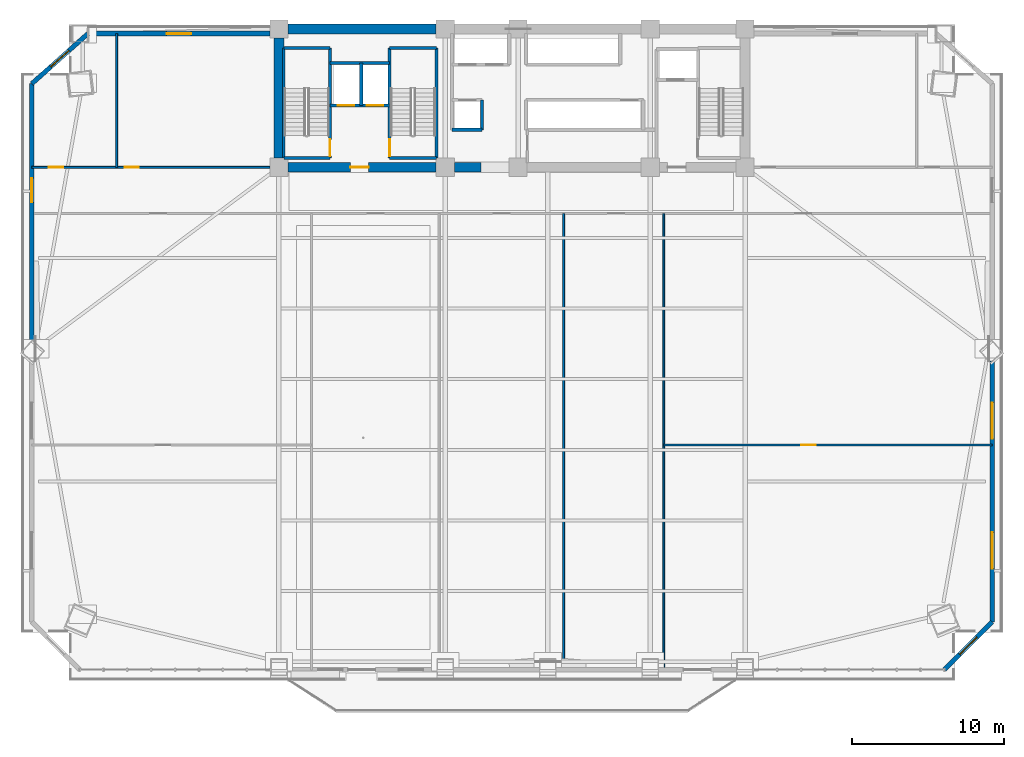
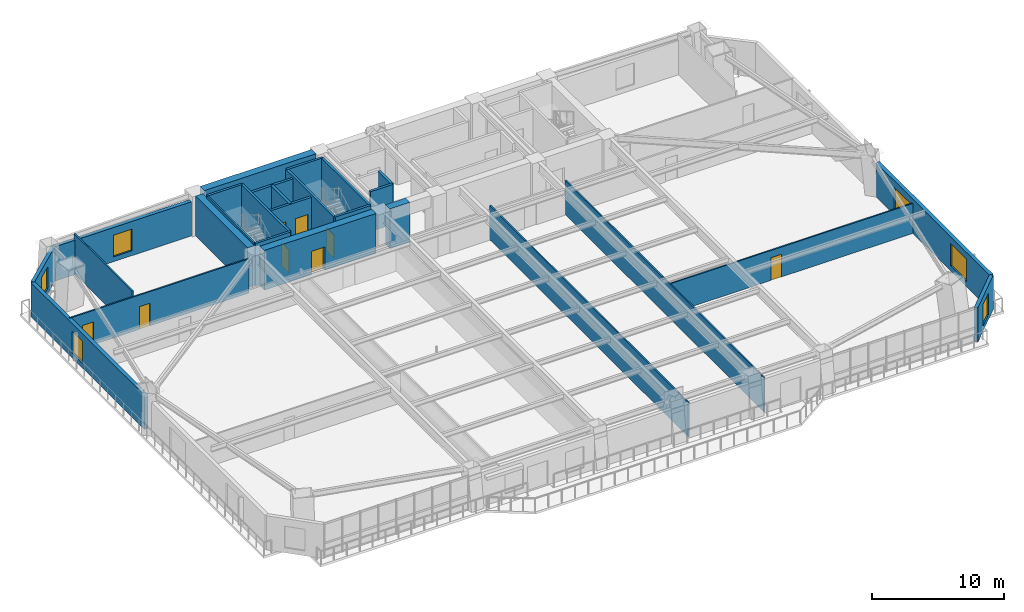
# One storey, part 9 of 17: 27 walls, 8 doors, 6 windows, 14 openings.
"""IFC4 building model written with IfcOpenShell, lengths in metres."""

from ifc_helpers import new_model, si_unit, direction, frame, frame_2d, origin, place, context, subcontext, project, spatial, rectangle, extrude, source, transform, mapped, material, layer, layer_set, type_object, element, fill, save


model = new_model("IFC4")

# Units and contexts
model_context = context("Model", 3, precision=1e-05, world=origin(), true_north=direction((0.0, 1.0)))
body_context = subcontext(model_context, "Body", "Model", "MODEL_VIEW")
ifc_project = project(units=[si_unit("LENGTHUNIT", "METRE"), si_unit("AREAUNIT", "SQUARE_METRE"), si_unit("VOLUMEUNIT", "CUBIC_METRE"), si_unit("PLANEANGLEUNIT", "RADIAN"), si_unit("MASSUNIT", "GRAM", prefix="KILO")], contexts=[model_context])

# Site, building, storey
site_placement = place(None, origin())
site = spatial("IfcSite", under=ifc_project, at=site_placement, CompositionType="ELEMENT")
building_placement = place(site_placement, origin())
building = spatial("IfcBuilding", under=site, at=building_placement, Name="Giltprow Tower", CompositionType="ELEMENT")
storey_placement = place(building_placement, frame((0.0, 0.0, 57.199951171875)))
storey = spatial("IfcBuildingStorey", under=building, at=storey_placement, Name="L14", CompositionType="ELEMENT", Elevation=57.199951171875)

# Wall, opening, window
ifc_material_1 = material(Name="Precast concrete C40", Category="concrete")
ifc_layer_1 = layer(ifc_material_1, 0.300048828125, Name="Precast concrete C40")
ifc_layer_set_1 = layer_set([ifc_layer_1], Name="Precast concrete C40")
wall_type_1 = type_object("IfcWallType", Name="EW-NOTCH-CHAMFER-300", PredefinedType="SOLIDWALL", material=ifc_layer_set_1)
wall_1_placement = place(storey_placement, frame((63.681884765625, 4.35400390625, 0.0), z_axis=(0.0, 0.0, 1.0), x_axis=(0.707134199585, 0.707079361725, 0.0)))
wall_1 = element("IfcWall", 1, at=wall_1_placement, inside=storey, type_object=wall_type_1, Name="L14 Corner Notch Wall SE", PredefinedType="SOLIDWALL", context=body_context, shape_type="SweptSolid", body=[
    extrude(rectangle(XDim=4.4521484375, YDim=0.300048828125, at=frame_2d((2.22607421875, 0.0))), origin(), (0.0, 0.0, 1.0), 3.16015625),
])
opening_1_placement = place(wall_1_placement, frame((1.426025390625, 0.0, 0.449951171875)))
opening_1 = element("IfcOpeningElement", 2, at=opening_1_placement, cuts=wall_1, Name="Opening WN17", PredefinedType="OPENING", context=body_context, shape_type="SweptSolid", body=[
    extrude(rectangle(XDim=1.60009765625, YDim=2.0, at=frame_2d((0.800048828125, 1.0))), frame((0.0, 0.159912109375, 0.0), z_axis=(0.0, -1.0, 0.0), x_axis=(1.0, 0.0, 0.0)), (0.0, 0.0, 1.0), 0.320068359375),
])
ifc_material_2 = material(Name="Insulated glass", Category="glass")
window_type_1 = type_object("IfcWindowType", Name="WN-COR-1600x2000", PartitioningType="SINGLE_PANEL", PredefinedType="WINDOW", material=ifc_material_2)
shared_shape_1 = source(origin(), body_context, "Body", "SweptSolid", [
    extrude(rectangle(XDim=1.60009765625, YDim=2.0, at=frame_2d((0.800048828125, 1.0))), frame((0.0, 0.030029296875, 0.0), z_axis=(0.0, -1.0, 0.0), x_axis=(1.0, 0.0, 0.0)), (0.0, 0.0, 1.0), 0.06005859375),
])
window_1_placement = place(opening_1_placement, origin())
window_1 = element("IfcWindow", 3, at=window_1_placement, inside=storey, type_object=window_type_1, Name="L14 Corner Notch Window SE", OverallHeight=2.0, OverallWidth=1.60009765625, PartitioningType="SINGLE_PANEL", PredefinedType="WINDOW", context=body_context, shape_type="MappedRepresentation", body=[
    mapped(shared_shape_1, transform((0.0, 0.0, 0.0), x_axis=(1.0, 0.0, 0.0), y_axis=(0.0, 1.0, 0.0), z_axis=(0.0, 0.0, 1.0), scale=1.0)),
])
fill(opening_1, window_1)

wall_2_placement = place(storey_placement, frame((7.26806640625, 46.25, 0.0), z_axis=(0.0, 0.0, 1.0), x_axis=(-0.746307341165, -0.665601496785, 0.0)))
wall_2 = element("IfcWall", 4, at=wall_2_placement, inside=storey, type_object=wall_type_1, Name="L14 Corner Notch Wall NW", PredefinedType="SOLIDWALL", context=body_context, shape_type="SweptSolid", body=[
    extrude(rectangle(XDim=4.955078125, YDim=0.300048828125, at=frame_2d((2.4775390625, 0.0))), origin(), (0.0, 0.0, 1.0), 3.16015625),
])
opening_2_placement = place(wall_2_placement, frame((1.677001953125, 0.0, 0.449951171875)))
opening_2 = element("IfcOpeningElement", 5, at=opening_2_placement, cuts=wall_2, Name="Opening WN17", PredefinedType="OPENING", context=body_context, shape_type="SweptSolid", body=[
    extrude(rectangle(XDim=1.60009765625, YDim=2.0, at=frame_2d((0.800048828125, 1.0))), frame((0.0, 0.159912109375, 0.0), z_axis=(0.0, -1.0, 0.0), x_axis=(1.0, 0.0, 0.0)), (0.0, 0.0, 1.0), 0.320068359375),
])
window_2_placement = place(opening_2_placement, origin())
window_2 = element("IfcWindow", 6, at=window_2_placement, inside=storey, type_object=window_type_1, Name="L14 Corner Notch Window NW", OverallHeight=2.0, OverallWidth=1.60009765625, PartitioningType="SINGLE_PANEL", PredefinedType="WINDOW", context=body_context, shape_type="MappedRepresentation", body=[
    mapped(shared_shape_1, transform((0.0, 0.0, 0.0), x_axis=(1.0, 0.0, 0.0), y_axis=(0.0, 1.0, 0.0), z_axis=(0.0, 0.0, 1.0), scale=1.0)),
])
fill(opening_2, window_2)

ifc_layer_2 = layer(ifc_material_1, 0.320068359375, Name="Precast concrete C40")
ifc_layer_set_2 = layer_set([ifc_layer_2], Name="Precast concrete C40")
wall_type_2 = type_object("IfcWallType", Name="EW-TOW-STONE-320", PredefinedType="SOLIDWALL", material=ifc_layer_set_2)
wall_3_placement = place(storey_placement, frame((3.570068359375, 25.777099609375, 0.0), z_axis=(0.0, 0.0, 1.0), x_axis=(0.0, 1.0, 0.0)))
wall_3 = element("IfcWall", 7, at=wall_3_placement, inside=storey, type_object=wall_type_2, Name="L14 W Wing Masonry Wall 2", PredefinedType="SOLIDWALL", context=body_context, shape_type="SweptSolid", body=[
    extrude(rectangle(XDim=17.1748046875, YDim=0.320068359375, at=frame_2d((8.58740234375, 0.0))), origin(), (0.0, 0.0, 1.0), 3.16015625),
])
opening_3_placement = place(wall_3_placement, frame((9.35302734375, 0.0, 0.449951171875)))
opening_3 = element("IfcOpeningElement", 8, at=opening_3_placement, cuts=wall_3, Name="Opening WN17", PredefinedType="OPENING", context=body_context, shape_type="SweptSolid", body=[
    extrude(rectangle(XDim=1.60009765625, YDim=2.0, at=frame_2d((0.800048828125, 1.0))), frame((0.0, 0.169921875, 0.0), z_axis=(0.0, -1.0, 0.0), x_axis=(1.0, 0.0, 0.0)), (0.0, 0.0, 1.0), 0.340087890625),
])
window_3_placement = place(opening_3_placement, origin())
window_3 = element("IfcWindow", 9, at=window_3_placement, inside=storey, type_object=window_type_1, Name="L14 W Wing Window 2-1", OverallHeight=2.0, OverallWidth=1.60009765625, PartitioningType="SINGLE_PANEL", PredefinedType="WINDOW", context=body_context, shape_type="MappedRepresentation", body=[
    mapped(shared_shape_1, transform((0.0, 0.0, 0.0), x_axis=(1.0, 0.0, 0.0), y_axis=(0.0, 1.0, 0.0), z_axis=(0.0, 0.0, 1.0), scale=1.0)),
])
fill(opening_3, window_3)

# Wall, openings, windows
wall_4_placement = place(storey_placement, frame((66.830078125, 7.501953125, 0.0), z_axis=(0.0, 0.0, 1.0), x_axis=(0.0, 1.0, 0.0)))
wall_4 = element("IfcWall", 10, at=wall_4_placement, inside=storey, type_object=wall_type_2, Name="L14 E Wing Masonry Wall 1", PredefinedType="SOLIDWALL", context=body_context, shape_type="SweptSolid", body=[
    extrude(rectangle(XDim=17.175048828125, YDim=0.320068359375, at=frame_2d((8.58740234375, 0.0))), origin(), (0.0, 0.0, 1.0), 3.16015625),
])
opening_4_placement = place(wall_4_placement, frame((3.506103515625, 0.0, 0.449951171875)))
opening_4 = element("IfcOpeningElement", 11, at=opening_4_placement, cuts=wall_4, Name="Opening WN29", PredefinedType="OPENING", context=body_context, shape_type="SweptSolid", body=[
    extrude(rectangle(XDim=2.39990234375, YDim=2.10009765625, at=frame_2d((1.199951171875, 1.050048828125))), frame((0.0, 0.169921875, 0.0), z_axis=(0.0, -1.0, 0.0), x_axis=(1.0, 0.0, 0.0)), (0.0, 0.0, 1.0), 0.340087890625),
])
opening_5_placement = place(wall_4_placement, frame((12.052978515625, 0.0, 0.449951171875)))
opening_5 = element("IfcOpeningElement", 12, at=opening_5_placement, cuts=wall_4, Name="Opening WN29", PredefinedType="OPENING", context=body_context, shape_type="SweptSolid", body=[
    extrude(rectangle(XDim=2.39990234375, YDim=2.10009765625, at=frame_2d((1.199951171875, 1.050048828125))), frame((0.0, 0.169921875, 0.0), z_axis=(0.0, -1.0, 0.0), x_axis=(1.0, 0.0, 0.0)), (0.0, 0.0, 1.0), 0.340087890625),
])
window_type_2 = type_object("IfcWindowType", Name="WN-OFF-2400x2100", PartitioningType="DOUBLE_PANEL_VERTICAL", PredefinedType="WINDOW", material=ifc_material_2)
shared_shape_2 = source(origin(), body_context, "Body", "SweptSolid", [
    extrude(rectangle(XDim=2.39990234375, YDim=2.10009765625, at=frame_2d((1.199951171875, 1.050048828125))), frame((0.0, 0.030029296875, 0.0), z_axis=(0.0, -1.0, 0.0), x_axis=(1.0, 0.0, 0.0)), (0.0, 0.0, 1.0), 0.06005859375),
])
window_4_placement = place(opening_4_placement, origin())
window_4 = element("IfcWindow", 13, at=window_4_placement, inside=storey, type_object=window_type_2, Name="L14 E Wing Window 1-1A", OverallHeight=2.10009765625, OverallWidth=2.39990234375, PartitioningType="SINGLE_PANEL", PredefinedType="WINDOW", context=body_context, shape_type="MappedRepresentation", body=[
    mapped(shared_shape_2, transform((0.0, 0.0, 0.0), x_axis=(1.0, 0.0, 0.0), y_axis=(0.0, 1.0, 0.0), z_axis=(0.0, 0.0, 1.0), scale=1.0)),
])
fill(opening_4, window_4)
window_5_placement = place(opening_5_placement, origin())
window_5 = element("IfcWindow", 14, at=window_5_placement, inside=storey, type_object=window_type_2, Name="L14 E Wing Window 1-1B", OverallHeight=2.10009765625, OverallWidth=2.39990234375, PartitioningType="SINGLE_PANEL", PredefinedType="WINDOW", context=body_context, shape_type="MappedRepresentation", body=[
    mapped(shared_shape_2, transform((0.0, 0.0, 0.0), x_axis=(1.0, 0.0, 0.0), y_axis=(0.0, 1.0, 0.0), z_axis=(0.0, 0.0, 1.0), scale=1.0)),
])
fill(opening_5, window_5)

# Wall, opening, window
wall_5_placement = place(storey_placement, frame((7.26806640625, 46.25, 0.0), z_axis=(0.0, 0.0, 1.0), x_axis=(1.0, 0.0, 0.0)))
wall_5 = element("IfcWall", 15, at=wall_5_placement, inside=storey, type_object=wall_type_2, Name="L14 North-West Wing Wall", PredefinedType="SOLIDWALL", context=body_context, shape_type="SweptSolid", body=[
    extrude(rectangle(XDim=11.98193359375, YDim=0.320068359375, at=frame_2d((5.990966796875, 0.0))), origin(), (0.0, 0.0, 1.0), 3.16015625),
])
opening_6_placement = place(wall_5_placement, frame((5.19091796875, 0.0, 0.449951171875)))
opening_6 = element("IfcOpeningElement", 16, at=opening_6_placement, cuts=wall_5, Name="Opening WN17", PredefinedType="OPENING", context=body_context, shape_type="SweptSolid", body=[
    extrude(rectangle(XDim=1.60009765625, YDim=2.0, at=frame_2d((0.800048828125, 1.0))), frame((0.0, 0.169921875, 0.0), z_axis=(0.0, -1.0, 0.0), x_axis=(1.0, 0.0, 0.0)), (0.0, 0.0, 1.0), 0.340087890625),
])
window_6_placement = place(opening_6_placement, origin())
window_6 = element("IfcWindow", 17, at=window_6_placement, inside=storey, type_object=window_type_1, Name="L14 North-West Window", OverallHeight=2.0, OverallWidth=1.60009765625, PartitioningType="SINGLE_PANEL", PredefinedType="WINDOW", context=body_context, shape_type="MappedRepresentation", body=[
    mapped(shared_shape_1, transform((0.0, 0.0, 0.0), x_axis=(1.0, 0.0, 0.0), y_axis=(0.0, 1.0, 0.0), z_axis=(0.0, 0.0, 1.0), scale=1.0)),
])
fill(opening_6, window_6)

# Walls
ifc_material_3 = material(Name="Gypsum stud partition", Category="gypsum")
ifc_layer_3 = layer(ifc_material_3, 0.1201171875, Name="Gypsum stud partition")
ifc_layer_set_3 = layer_set([ifc_layer_3], Name="Gypsum stud partition")
wall_type_3 = type_object("IfcWallType", Name="IW-ROOM-120", PredefinedType="PARTITIONING", material=ifc_layer_set_3)
for number, where, z_axis, x_axis, name in (
    (18, (38.60009765625, 4.35400390625, 0.0), (0.0, 0.0, 1.0), (0.0, 1.0, 0.0), "L14 Office Partition 3"),
    (19, (45.199951171875, 4.35400390625, 0.0), (0.0, 0.0, 1.0), (0.0, 1.0, 0.0), "L14 Office Partition 4"),
):
    element("IfcWall", number, at=place(storey_placement, frame(where, z_axis=z_axis, x_axis=x_axis)), inside=storey, type_object=wall_type_3, Name=name, PredefinedType="PARTITIONING", context=body_context, shape_type="SweptSolid", body=[
        extrude(rectangle(XDim=30.0458984375, YDim=0.1201171875, at=frame_2d((15.02294921875, 0.0))), origin(), (0.0, 0.0, 1.0), 3.1650390625),
    ])

# Wall, opening, door
wall_6_placement = place(storey_placement, frame((45.199951171875, 19.155029296875, 0.0), z_axis=(0.0, 0.0, 1.0), x_axis=(1.0, 0.0, 0.0)))
wall_6 = element("IfcWall", 20, at=wall_6_placement, inside=storey, type_object=wall_type_3, Name="L14 Office Mid Wall 5", PredefinedType="PARTITIONING", context=body_context, shape_type="SweptSolid", body=[
    extrude(rectangle(XDim=21.630126953125, YDim=0.1201171875, at=frame_2d((10.81494140625, 0.0))), origin(), (0.0, 0.0, 1.0), 2.76513671875),
])
opening_7_placement = place(wall_6_placement, frame((9.06494140625, 0.0, 0.0)))
opening_7 = element("IfcOpeningElement", 21, at=opening_7_placement, cuts=wall_6, Name="Opening ID11", PredefinedType="OPENING", context=body_context, shape_type="SweptSolid", body=[
    extrude(rectangle(XDim=0.949951171875, YDim=2.10009765625, at=frame_2d((0.47509765625, 1.050048828125))), frame((0.0, 0.070068359375, 0.0), z_axis=(0.0, -1.0, 0.0), x_axis=(1.0, 0.0, 0.0)), (0.0, 0.0, 1.0), 0.14013671875),
])
ifc_material_4 = material(Name="Engineered timber", Category="wood")
door_type_1 = type_object("IfcDoorType", Name="DR-ROOM-950", OperationType="SINGLE_SWING_RIGHT", PredefinedType="DOOR", material=ifc_material_4)
shared_shape_3 = source(origin(), body_context, "Body", "SweptSolid", [
    extrude(rectangle(XDim=0.949951171875, YDim=2.10009765625, at=frame_2d((0.47509765625, 1.050048828125))), frame((0.0, 0.02490234375, 0.0), z_axis=(0.0, -1.0, 0.0), x_axis=(1.0, 0.0, 0.0)), (0.0, 0.0, 1.0), 0.050048828125),
])
door_1_placement = place(opening_7_placement, origin())
door_1 = element("IfcDoor", 22, at=door_1_placement, inside=storey, type_object=door_type_1, Name="L14 Artisan Studio Shop 5 Inner Door", OperationType="SINGLE_SWING_RIGHT", OverallHeight=2.10009765625, OverallWidth=0.949951171875, PredefinedType="DOOR", context=body_context, shape_type="MappedRepresentation", body=[
    mapped(shared_shape_3, transform((0.0, 0.0, 0.0), x_axis=(1.0, 0.0, 0.0), y_axis=(0.0, 1.0, 0.0), z_axis=(0.0, 0.0, 1.0), scale=1.0)),
])
fill(opening_7, door_1)

# Wall, openings, doors
ifc_material_5 = material(Name="Concrete C40", Category="concrete")
ifc_layer_4 = layer(ifc_material_5, 0.219970703125, Name="Concrete C40")
ifc_layer_set_4 = layer_set([ifc_layer_4], Name="Concrete C40")
wall_type_4 = type_object("IfcWallType", Name="IW-SHAFT-220", PredefinedType="SOLIDWALL", material=ifc_layer_set_4)
wall_7_placement = place(storey_placement, frame((23.219970703125, 41.52001953125, 0.0), z_axis=(0.0, 0.0, 1.0), x_axis=(1.0, 0.0, 0.0)))
wall_7 = element("IfcWall", 23, at=wall_7_placement, inside=storey, type_object=wall_type_4, Name="L14 FFL1 and Service Lift Front Wall", PredefinedType="SOLIDWALL", context=body_context, shape_type="SweptSolid", body=[
    extrude(rectangle(XDim=3.919921875, YDim=0.219970703125, at=frame_2d((1.9599609375, 0.0))), origin(), (0.0, 0.0, 1.0), 3.679931640625),
])
opening_8_placement = place(wall_7_placement, frame((0.5, 0.0, 0.0)))
opening_8 = element("IfcOpeningElement", 24, at=opening_8_placement, cuts=wall_7, Name="Opening LD-11", PredefinedType="OPENING", context=body_context, shape_type="SweptSolid", body=[
    extrude(rectangle(XDim=1.10009765625, YDim=2.199951171875, at=frame_2d((0.550048828125, 1.10009765625))), frame((0.0, 0.119873046875, 0.0), z_axis=(0.0, -1.0, 0.0), x_axis=(1.0, 0.0, 0.0)), (0.0, 0.0, 1.0), 0.239990234375),
])
opening_9_placement = place(wall_7_placement, frame((2.39990234375, 0.0, 0.0)))
opening_9 = element("IfcOpeningElement", 25, at=opening_9_placement, cuts=wall_7, Name="Opening LD-11", PredefinedType="OPENING", context=body_context, shape_type="SweptSolid", body=[
    extrude(rectangle(XDim=1.10009765625, YDim=2.199951171875, at=frame_2d((0.550048828125, 1.10009765625))), frame((0.0, 0.119873046875, 0.0), z_axis=(0.0, -1.0, 0.0), x_axis=(1.0, 0.0, 0.0)), (0.0, 0.0, 1.0), 0.239990234375),
])
ifc_material_6 = material(Name="Stainless steel", Category="steel")
door_type_2 = type_object("IfcDoorType", Name="DR-LIFT-LD1100", OperationType="SLIDING_TO_LEFT", PredefinedType="DOOR", material=ifc_material_6)
shared_shape_4 = source(origin(), body_context, "Body", "SweptSolid", [
    extrude(rectangle(XDim=1.10009765625, YDim=2.199951171875, at=frame_2d((0.550048828125, 1.10009765625))), frame((0.0, 0.02490234375, 0.0), z_axis=(0.0, -1.0, 0.0), x_axis=(1.0, 0.0, 0.0)), (0.0, 0.0, 1.0), 0.050048828125),
])
door_2_placement = place(opening_8_placement, origin())
door_2 = element("IfcDoor", 26, at=door_2_placement, inside=storey, type_object=door_type_2, Name="L14 FFL1 Landing Door", OperationType="SLIDING_TO_LEFT", OverallHeight=2.199951171875, OverallWidth=1.10009765625, PredefinedType="DOOR", context=body_context, shape_type="MappedRepresentation", body=[
    mapped(shared_shape_4, transform((0.0, 0.0, 0.0), x_axis=(1.0, 0.0, 0.0), y_axis=(0.0, 1.0, 0.0), z_axis=(0.0, 0.0, 1.0), scale=1.0)),
])
fill(opening_8, door_2)
door_3_placement = place(opening_9_placement, origin())
door_3 = element("IfcDoor", 27, at=door_3_placement, inside=storey, type_object=door_type_2, Name="L14 SVL1 Landing Door", OperationType="SLIDING_TO_LEFT", OverallHeight=2.199951171875, OverallWidth=1.10009765625, PredefinedType="DOOR", context=body_context, shape_type="MappedRepresentation", body=[
    mapped(shared_shape_4, transform((0.0, 0.0, 0.0), x_axis=(1.0, 0.0, 0.0), y_axis=(0.0, 1.0, 0.0), z_axis=(0.0, 0.0, 1.0), scale=1.0)),
])
fill(opening_9, door_3)

# Walls
wall_8_placement = place(storey_placement, frame((25.260009765625, 41.52001953125, 0.0), z_axis=(0.0, 0.0, 1.0), x_axis=(0.0, 1.0, 0.0)))
element("IfcWall", 28, at=wall_8_placement, inside=storey, type_object=wall_type_4, Name="L14 FFL1-SVL1 Shaft Divider", PredefinedType="SOLIDWALL", context=body_context, shape_type="SweptSolid", body=[
    extrude(rectangle(XDim=2.800048828125, YDim=0.219970703125, at=frame_2d((1.39990234375, 0.0))), origin(), (0.0, 0.0, 1.0), 3.679931640625),
])
wall_9_placement = place(storey_placement, frame((23.219970703125, 44.320068359375, 0.0), z_axis=(0.0, 0.0, 1.0), x_axis=(1.0, 0.0, 0.0)))
element("IfcWall", 29, at=wall_9_placement, inside=storey, type_object=wall_type_4, Name="L14 FFL1-SVL1 Back Shaft Wall", PredefinedType="SOLIDWALL", context=body_context, shape_type="SweptSolid", body=[
    extrude(rectangle(XDim=3.919921875, YDim=0.219970703125, at=frame_2d((1.9599609375, 0.0))), origin(), (0.0, 0.0, 1.0), 3.679931640625),
])
wall_10_placement = place(storey_placement, frame((31.25, 39.919921875, 0.0), z_axis=(0.0, 0.0, 1.0), x_axis=(1.0, 0.0, 0.0)))
element("IfcWall", 30, at=wall_10_placement, inside=storey, type_object=wall_type_4, Name="L14 Low-Rise South Lift Back Wall", PredefinedType="SOLIDWALL", context=body_context, shape_type="SweptSolid", body=[
    extrude(rectangle(XDim=1.969970703125, YDim=0.219970703125, at=frame_2d((0.98486328125, 0.0))), origin(), (0.0, 0.0, 1.0), 3.679931640625),
])
wall_11_placement = place(storey_placement, frame((33.219970703125, 39.919921875, 0.0), z_axis=(0.0, 0.0, 1.0), x_axis=(0.0, 1.0, 0.0)))
element("IfcWall", 31, at=wall_11_placement, inside=storey, type_object=wall_type_4, Name="L14 Low-Rise South Lift East Closure", PredefinedType="SOLIDWALL", context=body_context, shape_type="SweptSolid", body=[
    extrude(rectangle(XDim=1.9599609375, YDim=0.219970703125, at=frame_2d((0.97998046875, 0.0))), origin(), (0.0, 0.0, 1.0), 3.679931640625),
])
ifc_material_7 = material(Name="Concrete C45", Category="concrete")
ifc_layer_5 = layer(ifc_material_7, 0.139892578125, Name="Concrete C45")
ifc_layer_set_5 = layer_set([ifc_layer_5], Name="Concrete C45")
wall_type_5 = type_object("IfcWallType", Name="IW-STAIR-140", PredefinedType="SOLIDWALL", material=ifc_layer_set_5)
wall_12_placement = place(storey_placement, frame((20.169921875, 38.070068359375, 0.0), z_axis=(0.0, 0.0, 1.0), x_axis=(0.0, 1.0, 0.0)))
element("IfcWall", 32, at=wall_12_placement, inside=storey, type_object=wall_type_5, Name="L14 Stair ST-1 West Bearing Wall", PredefinedType="SOLIDWALL", context=body_context, shape_type="SweptSolid", body=[
    extrude(rectangle(XDim=7.25, YDim=0.139892578125, at=frame_2d((3.625, 0.0))), origin(), (0.0, 0.0, 1.0), 3.900146484375),
])

# Wall, opening, door
ifc_layer_6 = layer(ifc_material_5, 0.199951171875, Name="Concrete C40")
ifc_layer_set_6 = layer_set([ifc_layer_6], Name="Concrete C40")
wall_type_6 = type_object("IfcWallType", Name="IW-STAIR-200", PredefinedType="SOLIDWALL", material=ifc_layer_set_6)
wall_13_placement = place(storey_placement, frame((23.219970703125, 38.070068359375, 0.0), z_axis=(0.0, 0.0, 1.0), x_axis=(0.0, 1.0, 0.0)))
wall_13 = element("IfcWall", 33, at=wall_13_placement, inside=storey, type_object=wall_type_6, Name="L14 Stair ST-1 East Bearing Wall", PredefinedType="SOLIDWALL", context=body_context, shape_type="SweptSolid", body=[
    extrude(rectangle(XDim=7.25, YDim=0.199951171875, at=frame_2d((3.625, 0.0))), origin(), (0.0, 0.0, 1.0), 3.900146484375),
])
opening_10_placement = place(wall_13_placement, frame((0.110107421875, 0.0, 0.0)))
opening_10 = element("IfcOpeningElement", 34, at=opening_10_placement, cuts=wall_13, Name="Opening ID33", PredefinedType="OPENING", context=body_context, shape_type="SweptSolid", body=[
    extrude(rectangle(XDim=1.10009765625, YDim=2.14990234375, at=frame_2d((0.550048828125, 1.074951171875))), frame((0.0, 0.10986328125, 0.0), z_axis=(0.0, -1.0, 0.0), x_axis=(1.0, 0.0, 0.0)), (0.0, 0.0, 1.0), 0.219970703125),
])
ifc_material_8 = material(Name="Steel fire leaf", Category="steel")
door_type_3 = type_object("IfcDoorType", Name="DR-STAIR-1100", OperationType="SINGLE_SWING_LEFT", PredefinedType="DOOR", material=ifc_material_8)
shared_shape_5 = source(origin(), body_context, "Body", "SweptSolid", [
    extrude(rectangle(XDim=1.10009765625, YDim=2.14990234375, at=frame_2d((0.550048828125, 1.074951171875))), frame((0.0, 0.02490234375, 0.0), z_axis=(0.0, -1.0, 0.0), x_axis=(1.0, 0.0, 0.0)), (0.0, 0.0, 1.0), 0.050048828125),
])
door_4_placement = place(opening_10_placement, origin())
door_4 = element("IfcDoor", 35, at=door_4_placement, inside=storey, type_object=door_type_3, Name="L14 Stair ST-1 Fire Door", OperationType="SINGLE_SWING_RIGHT", OverallHeight=2.14990234375, OverallWidth=1.10009765625, PredefinedType="DOOR", context=body_context, shape_type="MappedRepresentation", body=[
    mapped(shared_shape_5, transform((0.0, 0.0, 0.0), x_axis=(1.0, 0.0, 0.0), y_axis=(0.0, 1.0, 0.0), z_axis=(0.0, 0.0, 1.0), scale=1.0)),
])
fill(opening_10, door_4)

# Walls
for number, where, z_axis, x_axis, name in (
    (36, (20.169921875, 45.320068359375, 0.0), (0.0, 0.0, 1.0), (1.0, 0.0, 0.0), "L14 Stair ST-1 North Bearing Wall"),
    (37, (20.169921875, 38.070068359375, 0.0), (0.0, 0.0, 1.0), (1.0, 0.0, 0.0), "L14 Stair ST-1 South Bearing Wall"),
):
    element("IfcWall", number, at=place(storey_placement, frame(where, z_axis=z_axis, x_axis=x_axis)), inside=storey, type_object=wall_type_6, Name=name, PredefinedType="SOLIDWALL", context=body_context, shape_type="SweptSolid", body=[
        extrude(rectangle(XDim=3.050048828125, YDim=0.199951171875, at=frame_2d((1.52490234375, 0.0))), origin(), (0.0, 0.0, 1.0), 3.900146484375),
    ])

# Wall, opening, door
wall_14_placement = place(storey_placement, frame((27.139892578125, 38.070068359375, 0.0), z_axis=(0.0, 0.0, 1.0), x_axis=(0.0, 1.0, 0.0)))
wall_14 = element("IfcWall", 38, at=wall_14_placement, inside=storey, type_object=wall_type_6, Name="L14 Stair ST-2 West Bearing Wall", PredefinedType="SOLIDWALL", context=body_context, shape_type="SweptSolid", body=[
    extrude(rectangle(XDim=7.25, YDim=0.199951171875, at=frame_2d((3.625, 0.0))), origin(), (0.0, 0.0, 1.0), 3.900146484375),
])
opening_11_placement = place(wall_14_placement, frame((0.110107421875, 0.0, 0.0)))
opening_11 = element("IfcOpeningElement", 39, at=opening_11_placement, cuts=wall_14, Name="Opening ID33", PredefinedType="OPENING", context=body_context, shape_type="SweptSolid", body=[
    extrude(rectangle(XDim=1.10009765625, YDim=2.14990234375, at=frame_2d((0.550048828125, 1.074951171875))), frame((0.0, 0.10986328125, 0.0), z_axis=(0.0, -1.0, 0.0), x_axis=(1.0, 0.0, 0.0)), (0.0, 0.0, 1.0), 0.219970703125),
])
door_5_placement = place(opening_11_placement, origin())
door_5 = element("IfcDoor", 40, at=door_5_placement, inside=storey, type_object=door_type_3, Name="L14 Stair ST-2 Fire Door", OperationType="SINGLE_SWING_LEFT", OverallHeight=2.14990234375, OverallWidth=1.10009765625, PredefinedType="DOOR", context=body_context, shape_type="MappedRepresentation", body=[
    mapped(shared_shape_5, transform((0.0, 0.0, 0.0), x_axis=(1.0, 0.0, 0.0), y_axis=(0.0, 1.0, 0.0), z_axis=(0.0, 0.0, 1.0), scale=1.0)),
])
fill(opening_11, door_5)

# Walls
wall_15_placement = place(storey_placement, frame((30.219970703125, 38.070068359375, 0.0), z_axis=(0.0, 0.0, 1.0), x_axis=(0.0, 1.0, 0.0)))
element("IfcWall", 41, at=wall_15_placement, inside=storey, type_object=wall_type_6, Name="L14 Stair ST-2 East Bearing Wall", PredefinedType="SOLIDWALL", context=body_context, shape_type="SweptSolid", body=[
    extrude(rectangle(XDim=7.25, YDim=0.199951171875, at=frame_2d((3.625, 0.0))), origin(), (0.0, 0.0, 1.0), 3.900146484375),
])
for number, where, z_axis, x_axis, name in (
    (42, (27.139892578125, 45.320068359375, 0.0), (0.0, 0.0, 1.0), (1.0, 0.0, 0.0), "L14 Stair ST-2 North Bearing Wall"),
    (43, (27.139892578125, 38.070068359375, 0.0), (0.0, 0.0, 1.0), (1.0, 0.0, 0.0), "L14 Stair ST-2 South Bearing Wall"),
):
    element("IfcWall", number, at=place(storey_placement, frame(where, z_axis=z_axis, x_axis=x_axis)), inside=storey, type_object=wall_type_6, Name=name, PredefinedType="SOLIDWALL", context=body_context, shape_type="SweptSolid", body=[
        extrude(rectangle(XDim=3.080078125, YDim=0.199951171875, at=frame_2d((1.5400390625, 0.0))), origin(), (0.0, 0.0, 1.0), 3.900146484375),
    ])

# Wall, openings, doors
ifc_material_9 = material(Name="Concrete C30", Category="concrete")
ifc_layer_7 = layer(ifc_material_9, 0.1298828125, Name="Concrete C30")
ifc_layer_set_7 = layer_set([ifc_layer_7], Name="Concrete C30")
wall_type_7 = type_object("IfcWallType", Name="IW-WET-130", PredefinedType="PARTITIONING", material=ifc_layer_set_7)
wall_16_placement = place(storey_placement, frame((3.570068359375, 37.449951171875, 0.0), z_axis=(0.0, 0.0, 1.0), x_axis=(1.0, 0.0, 0.0)))
wall_16 = element("IfcWall", 44, at=wall_16_placement, inside=storey, type_object=wall_type_7, Name="L14 NW Wing South Wall", PredefinedType="PARTITIONING", context=body_context, shape_type="SweptSolid", body=[
    extrude(rectangle(XDim=15.679931640625, YDim=0.1298828125, at=frame_2d((7.83984375, 0.0))), origin(), (0.0, 0.0, 1.0), 3.1650390625),
])
opening_12_placement = place(wall_16_placement, frame((1.135009765625, 0.0, 0.0)))
opening_12 = element("IfcOpeningElement", 45, at=opening_12_placement, cuts=wall_16, Name="Opening ID11", PredefinedType="OPENING", context=body_context, shape_type="SweptSolid", body=[
    extrude(rectangle(XDim=0.949951171875, YDim=2.10009765625, at=frame_2d((0.47509765625, 1.050048828125))), frame((0.0, 0.074951171875, 0.0), z_axis=(0.0, -1.0, 0.0), x_axis=(1.0, 0.0, 0.0)), (0.0, 0.0, 1.0), 0.14990234375),
])
opening_13_placement = place(wall_16_placement, frame((6.134033203125, 0.0, 0.0)))
opening_13 = element("IfcOpeningElement", 46, at=opening_13_placement, cuts=wall_16, Name="Opening ID15", PredefinedType="OPENING", context=body_context, shape_type="SweptSolid", body=[
    extrude(rectangle(XDim=0.89990234375, YDim=2.10009765625, at=frame_2d((0.449951171875, 1.050048828125))), frame((0.0, 0.074951171875, 0.0), z_axis=(0.0, -1.0, 0.0), x_axis=(1.0, 0.0, 0.0)), (0.0, 0.0, 1.0), 0.14990234375),
])
door_type_4 = type_object("IfcDoorType", Name="DR-WC-900", OperationType="SINGLE_SWING_LEFT", PredefinedType="DOOR", material=ifc_material_4)
shared_shape_6 = source(origin(), body_context, "Body", "SweptSolid", [
    extrude(rectangle(XDim=0.89990234375, YDim=2.10009765625, at=frame_2d((0.449951171875, 1.050048828125))), frame((0.0, 0.02490234375, 0.0), z_axis=(0.0, -1.0, 0.0), x_axis=(1.0, 0.0, 0.0)), (0.0, 0.0, 1.0), 0.050048828125),
])
door_6_placement = place(opening_13_placement, origin())
door_6 = element("IfcDoor", 47, at=door_6_placement, inside=storey, type_object=door_type_4, Name="L14 NW Washroom Door", OperationType="SINGLE_SWING_RIGHT", OverallHeight=2.10009765625, OverallWidth=0.89990234375, PredefinedType="DOOR", context=body_context, shape_type="MappedRepresentation", body=[
    mapped(shared_shape_6, transform((0.0, 0.0, 0.0), x_axis=(1.0, 0.0, 0.0), y_axis=(0.0, 1.0, 0.0), z_axis=(0.0, 0.0, 1.0), scale=1.0)),
])
fill(opening_13, door_6)
door_7_placement = place(opening_12_placement, origin())
door_7 = element("IfcDoor", 48, at=door_7_placement, inside=storey, type_object=door_type_1, Name="L14 West Tenant Office West Door", OperationType="SINGLE_SWING_LEFT", OverallHeight=2.10009765625, OverallWidth=0.949951171875, PredefinedType="DOOR", context=body_context, shape_type="MappedRepresentation", body=[
    mapped(shared_shape_3, transform((0.0, 0.0, 0.0), x_axis=(1.0, 0.0, 0.0), y_axis=(0.0, 1.0, 0.0), z_axis=(0.0, 0.0, 1.0), scale=1.0)),
])
fill(opening_12, door_7)

# Walls
wall_17_placement = place(storey_placement, frame((9.154052734375, 37.449951171875, 0.0), z_axis=(0.0, 0.0, 1.0), x_axis=(0.0, 1.0, 0.0)))
element("IfcWall", 49, at=wall_17_placement, inside=storey, type_object=wall_type_7, Name="L14 NW Wing Divider", PredefinedType="PARTITIONING", context=body_context, shape_type="SweptSolid", body=[
    extrude(rectangle(XDim=8.800048828125, YDim=0.1298828125, at=frame_2d((4.39990234375, 0.0))), origin(), (0.0, 0.0, 1.0), 3.679931640625),
])
ifc_material_10 = material(Name="Concrete C60", Category="concrete")
ifc_layer_8 = layer(ifc_material_10, 0.64990234375, Name="Concrete C60")
ifc_layer_set_8 = layer_set([ifc_layer_8], Name="Concrete C60")
wall_type_8 = type_object("IfcWallType", Name="SW-EXT-650-C60", PredefinedType="SHEAR", material=ifc_layer_set_8)
wall_18_placement = place(storey_placement, frame((20.449951171875, 46.550048828125, 0.0), z_axis=(0.0, 0.0, 1.0), x_axis=(1.0, 0.0, 0.0)))
element("IfcWall", 50, at=wall_18_placement, inside=storey, type_object=wall_type_8, Name="L14 North Rear Core Shear Wall 1", PredefinedType="SHEAR", context=body_context, shape_type="SweptSolid", body=[
    extrude(rectangle(XDim=9.75, YDim=0.64990234375, at=frame_2d((4.875, 0.0))), origin(), (0.0, 0.0, 1.0), 3.679931640625),
])

# Wall, opening, door
ifc_layer_9 = layer(ifc_material_10, 0.64990234375, Name="Concrete C60")
ifc_layer_set_9 = layer_set([ifc_layer_9], Name="Concrete C60")
wall_type_9 = type_object("IfcWallType", Name="SW-INT-650-C60", PredefinedType="SHEAR", material=ifc_layer_set_9)
wall_19_placement = place(storey_placement, frame((20.449951171875, 37.449951171875, 0.0), z_axis=(0.0, 0.0, 1.0), x_axis=(1.0, 0.0, 0.0)))
wall_19 = element("IfcWall", 51, at=wall_19_placement, inside=storey, type_object=wall_type_9, Name="L14 South Rear Core Shear Wall West", PredefinedType="SHEAR", context=body_context, shape_type="SweptSolid", body=[
    extrude(rectangle(XDim=9.75, YDim=0.64990234375, at=frame_2d((4.875, 0.0))), origin(), (0.0, 0.0, 1.0), 3.679931640625),
])
opening_14_placement = place(wall_19_placement, frame((4.10009765625, 0.0, 0.0)))
opening_14 = element("IfcOpeningElement", 52, at=opening_14_placement, cuts=wall_19, Name="Opening ID19", PredefinedType="OPENING", context=body_context, shape_type="SweptSolid", body=[
    extrude(rectangle(XDim=1.199951171875, YDim=2.14990234375, at=frame_2d((0.60009765625, 1.074951171875))), frame((0.0, 0.3349609375, 0.0), z_axis=(0.0, -1.0, 0.0), x_axis=(1.0, 0.0, 0.0)), (0.0, 0.0, 1.0), 0.669921875),
])
door_type_5 = type_object("IfcDoorType", Name="DR-FFLOBBY-1200", OperationType="SINGLE_SWING_RIGHT", PredefinedType="DOOR", material=ifc_material_8)
shared_shape_7 = source(origin(), body_context, "Body", "SweptSolid", [
    extrude(rectangle(XDim=1.199951171875, YDim=2.14990234375, at=frame_2d((0.60009765625, 1.074951171875))), frame((0.0, 0.02490234375, 0.0), z_axis=(0.0, -1.0, 0.0), x_axis=(1.0, 0.0, 0.0)), (0.0, 0.0, 1.0), 0.050048828125),
])
door_8_placement = place(opening_14_placement, origin())
door_8 = element("IfcDoor", 53, at=door_8_placement, inside=storey, type_object=door_type_5, Name="L14 West Firefighting Lobby Entry Door", OperationType="SINGLE_SWING_LEFT", OverallHeight=2.14990234375, OverallWidth=1.199951171875, PredefinedType="DOOR", context=body_context, shape_type="MappedRepresentation", body=[
    mapped(shared_shape_7, transform((0.0, 0.0, 0.0), x_axis=(1.0, 0.0, 0.0), y_axis=(0.0, 1.0, 0.0), z_axis=(0.0, 0.0, 1.0), scale=1.0)),
])
fill(opening_14, door_8)

# Walls
wall_20_placement = place(storey_placement, frame((31.39990234375, 37.449951171875, 0.0), z_axis=(0.0, 0.0, 1.0), x_axis=(1.0, 0.0, 0.0)))
element("IfcWall", 54, at=wall_20_placement, inside=storey, type_object=wall_type_9, Name="L14 South Rear Core Shear Wall Mid-West", PredefinedType="SHEAR", context=body_context, shape_type="SweptSolid", body=[
    extrude(rectangle(XDim=1.75, YDim=0.64990234375, at=frame_2d((0.875, 0.0))), origin(), (0.0, 0.0, 1.0), 3.679931640625),
])
wall_21_placement = place(storey_placement, frame((19.85009765625, 38.050048828125, 0.0), z_axis=(0.0, 0.0, 1.0), x_axis=(0.0, 1.0, 0.0)))
element("IfcWall", 55, at=wall_21_placement, inside=storey, type_object=wall_type_9, Name="L14 W Rear Core Shear Wall", PredefinedType="SHEAR", context=body_context, shape_type="SweptSolid", body=[
    extrude(rectangle(XDim=7.89990234375, YDim=0.64990234375, at=frame_2d((3.949951171875, 0.0))), origin(), (0.0, 0.0, 1.0), 3.679931640625),
])

save(model, "model.ifc")
